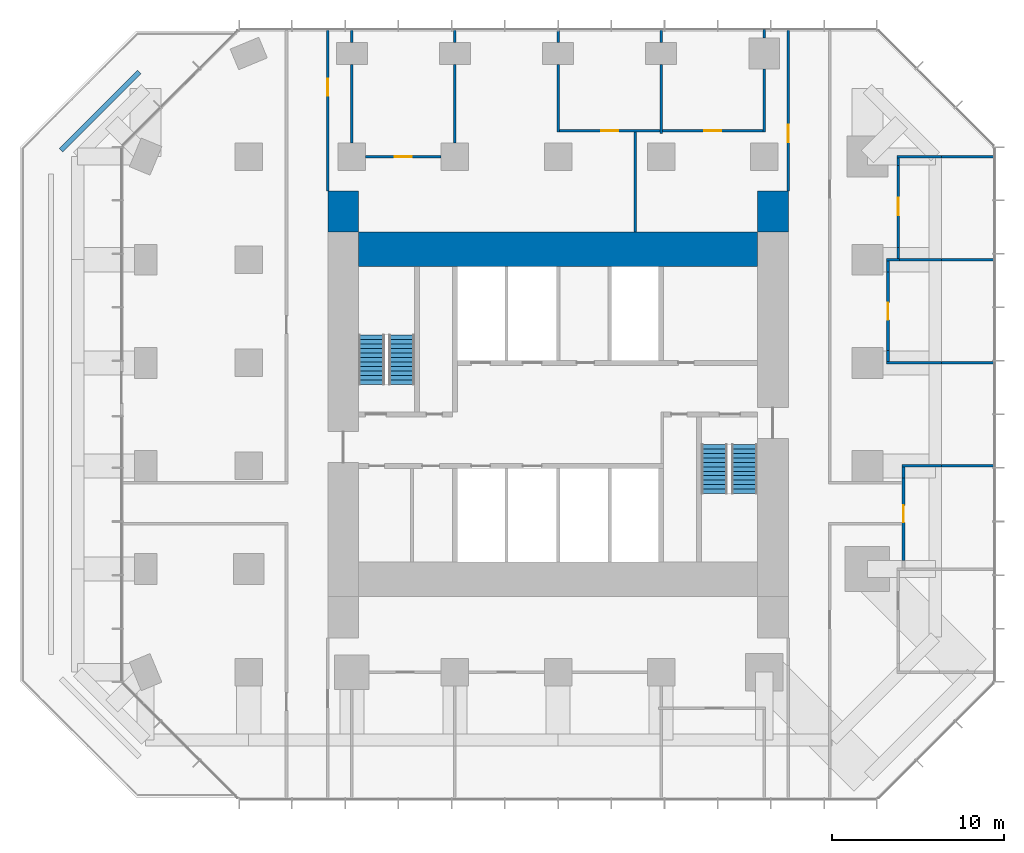
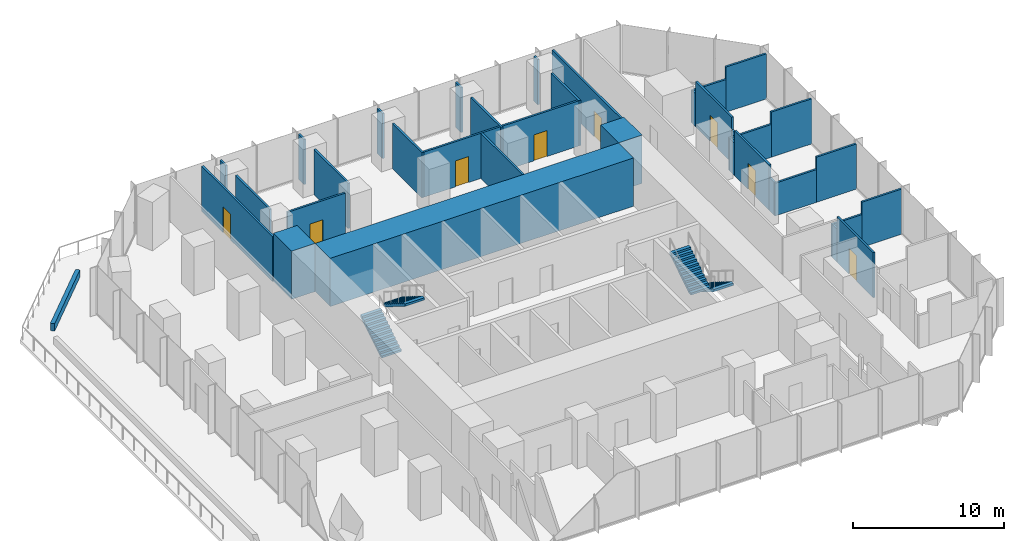
# One storey, part 10 of 11: 37 walls, 8 doors, 4 stair flights, 8 openings, 2 elements without a shape of their own.
"""IFC4 building model written with IfcOpenShell, lengths in metres."""

from ifc_helpers import new_model, si_unit, direction, frame, frame_2d, origin, place, context, subcontext, project, spatial, polyline, rectangle, outline, extrude, material, layer, layer_set, type_object, element, fill, aggregate, save


model = new_model("IFC4")

# Units and contexts
model_context = context("Model", 3, precision=1e-05, world=origin(), true_north=direction((0.0, 1.0)))
body_context = subcontext(model_context, "Body", "Model", "MODEL_VIEW")
ifc_project = project(units=[si_unit("LENGTHUNIT", "METRE"), si_unit("AREAUNIT", "SQUARE_METRE"), si_unit("VOLUMEUNIT", "CUBIC_METRE"), si_unit("PLANEANGLEUNIT", "RADIAN"), si_unit("MASSUNIT", "GRAM", prefix="KILO")], contexts=[model_context])

# Site, building, storey
site_placement = place(None, origin())
site = spatial("IfcSite", under=ifc_project, at=site_placement, CompositionType="ELEMENT")
building_placement = place(site_placement, origin())
building = spatial("IfcBuilding", under=site, at=building_placement, Name="Highveld Stack Headquarters", CompositionType="ELEMENT")
storey_placement = place(building_placement, frame((0.0, 0.0, 140.60009765625)))
storey = spatial("IfcBuildingStorey", under=building, at=storey_placement, Name="L34", CompositionType="ELEMENT", Elevation=140.60009765625)

# Walls
ifc_material_1 = material(Name="Concrete C60/75", Category="concrete")
ifc_layer_1 = layer(ifc_material_1, 2.0)
ifc_layer_set_1 = layer_set([ifc_layer_1], Name="Concrete C60/75")
wall_type_1 = type_object("IfcWallType", Name="CORE WALL 2000 C60/75", PredefinedType="SHEAR", material=ifc_layer_set_1)
wall_1_placement = place(storey_placement, frame((-5.60009765625, 12.60009765625, 0.0), z_axis=(0.0, 0.0, 1.0), x_axis=(1.0, 0.0, 0.0)))
element("IfcWall", 1, at=wall_1_placement, inside=storey, type_object=wall_type_1, Name="Core wall N L34", PredefinedType="SHEAR", context=body_context, shape_type="SweptSolid", body=[
    extrude(rectangle(XDim=23.2001953125, YDim=2.0, at=frame_2d((11.60009765625, 0.0))), origin(), (0.0, 0.0, 1.0), 3.89990234375),
])
ifc_material_2 = material(Name="Concrete C60/75", Category="concrete")
ifc_layer_2 = layer(ifc_material_2, 1.800048828125)
ifc_layer_set_2 = layer_set([ifc_layer_2], Name="Concrete C60/75")
wall_type_2 = type_object("IfcWallType", Name="CORE WING WALL 1800 C60/75", PredefinedType="SHEAR", material=ifc_layer_set_2)
for number, where, z_axis, x_axis, name in (
    (2, (-6.5, 13.60009765625, 0.0), (0.0, 0.0, 1.0), (0.0, 1.0, 0.0), "Core wing wall WN L34"),
    (3, (18.5, 13.60009765625, 0.0), (0.0, 0.0, 1.0), (0.0, 1.0, 0.0), "Core wing wall EN L34"),
):
    element("IfcWall", number, at=place(storey_placement, frame(where, z_axis=z_axis, x_axis=x_axis)), inside=storey, type_object=wall_type_2, Name=name, PredefinedType="SHEAR", context=body_context, shape_type="SweptSolid", body=[
        extrude(rectangle(XDim=2.39990234375, YDim=1.800048828125, at=frame_2d((1.199951171875, 0.0))), origin(), (0.0, 0.0, 1.0), 3.89990234375),
    ])
ifc_material_3 = material(Name="Gypsum plasterboard on steel studs", Category="steel")
ifc_layer_3 = layer(ifc_material_3, 0.14990234375)
ifc_layer_set_3 = layer_set([ifc_layer_3], Name="Gypsum plasterboard on steel studs")
wall_type_3 = type_object("IfcWallType", Name="PARTITION 150 PLASTERBOARD", PredefinedType="PARTITIONING", material=ifc_layer_set_3)
wall_2_placement = place(storey_placement, frame((26.02490234375, 0.0, 0.0), z_axis=(0.0, 0.0, 1.0), x_axis=(1.0, 0.0, 0.0)))
element("IfcWall", 4, at=wall_2_placement, inside=storey, type_object=wall_type_3, Name="Partition Focus room L34", PredefinedType="PARTITIONING", context=body_context, shape_type="SweptSolid", body=[
    extrude(rectangle(XDim=2.28515625, YDim=0.14990234375, at=frame_2d((1.142578125, 0.0))), origin(), (0.0, 0.0, 1.0), 2.64990234375),
])
wall_3_placement = place(storey_placement, frame((28.31005859375, 0.0, 0.0), z_axis=(0.0, 0.0, 1.0), x_axis=(1.0, 0.0, 0.0)))
element("IfcWall", 5, at=wall_3_placement, inside=storey, type_object=wall_type_3, Name="Partition Focus room L34", PredefinedType="PARTITIONING", context=body_context, shape_type="SweptSolid", body=[
    extrude(rectangle(XDim=3.0400390625, YDim=0.14990234375, at=frame_2d((1.52001953125, 0.0))), origin(), (0.0, 0.0, 1.0), 3.64990234375),
])
wall_4_placement = place(storey_placement, frame((25.125, 6.0, 0.0), z_axis=(0.0, 0.0, 1.0), x_axis=(1.0, 0.0, 0.0)))
element("IfcWall", 6, at=wall_4_placement, inside=storey, type_object=wall_type_3, Name="Partition Tea kitchen L34", PredefinedType="PARTITIONING", context=body_context, shape_type="SweptSolid", body=[
    extrude(rectangle(XDim=3.18505859375, YDim=0.14990234375, at=frame_2d((1.592529296875, 0.0))), origin(), (0.0, 0.0, 1.0), 2.64990234375),
])
wall_5_placement = place(storey_placement, frame((28.31005859375, 6.0, 0.0), z_axis=(0.0, 0.0, 1.0), x_axis=(1.0, 0.0, 0.0)))
element("IfcWall", 7, at=wall_5_placement, inside=storey, type_object=wall_type_3, Name="Partition Tea kitchen L34", PredefinedType="PARTITIONING", context=body_context, shape_type="SweptSolid", body=[
    extrude(rectangle(XDim=3.0400390625, YDim=0.14990234375, at=frame_2d((1.52001953125, 0.0))), origin(), (0.0, 0.0, 1.0), 3.64990234375),
])
wall_6_placement = place(storey_placement, frame((25.125, 12.0, 0.0), z_axis=(0.0, 0.0, 1.0), x_axis=(1.0, 0.0, 0.0)))
element("IfcWall", 8, at=wall_6_placement, inside=storey, type_object=wall_type_3, Name="Partition Tea kitchen L34", PredefinedType="PARTITIONING", context=body_context, shape_type="SweptSolid", body=[
    extrude(rectangle(XDim=0.75, YDim=0.14990234375, at=frame_2d((0.375, 0.0))), origin(), (0.0, 0.0, 1.0), 2.64990234375),
])
wall_7_placement = place(storey_placement, frame((25.800048828125, 12.0, 0.0), z_axis=(0.0, 0.0, 1.0), x_axis=(1.0, 0.0, 0.0)))
element("IfcWall", 9, at=wall_7_placement, inside=storey, type_object=wall_type_3, Name="Partition Print room / Tea kitchen L34", PredefinedType="PARTITIONING", context=body_context, shape_type="SweptSolid", body=[
    extrude(rectangle(XDim=2.510009765625, YDim=0.14990234375, at=frame_2d((1.2548828125, 0.0))), origin(), (0.0, 0.0, 1.0), 2.64990234375),
])
wall_8_placement = place(storey_placement, frame((28.31005859375, 12.0, 0.0), z_axis=(0.0, 0.0, 1.0), x_axis=(1.0, 0.0, 0.0)))
element("IfcWall", 10, at=wall_8_placement, inside=storey, type_object=wall_type_3, Name="Partition Print room / Tea kitchen L34", PredefinedType="PARTITIONING", context=body_context, shape_type="SweptSolid", body=[
    extrude(rectangle(XDim=3.08984375, YDim=0.14990234375, at=frame_2d((1.544921875, 0.0))), origin(), (0.0, 0.0, 1.0), 3.64990234375),
])

# Wall, opening, door
wall_9_placement = place(storey_placement, frame((-5.199951171875, 18.0, 0.0), z_axis=(0.0, 0.0, 1.0), x_axis=(1.0, 0.0, 0.0)))
wall_9 = element("IfcWall", 11, at=wall_9_placement, inside=storey, type_object=wall_type_3, Name="Partition Office L34", PredefinedType="PARTITIONING", context=body_context, shape_type="SweptSolid", body=[
    extrude(rectangle(XDim=4.39990234375, YDim=0.14990234375, at=frame_2d((2.199951171875, 0.0))), origin(), (0.0, 0.0, 1.0), 3.64990234375),
])
opening_1_placement = place(wall_9_placement, frame((1.699951171875, 0.0, 0.0)))
opening_1 = element("IfcOpeningElement", 12, at=opening_1_placement, cuts=wall_9, Name="Opening L34-19", PredefinedType="OPENING", context=body_context, shape_type="SweptSolid", body=[
    extrude(rectangle(XDim=1.0, YDim=2.10009765625, at=frame_2d((0.5, 1.050048828125))), frame((0.0, 0.0849609375, 0.0), z_axis=(0.0, -1.0, 0.0), x_axis=(1.0, 0.0, 0.0)), (0.0, 0.0, 1.0), 0.169921875),
])
ifc_material_4 = material(Name="Timber door, oiled ash", Category="wood")
door_type = type_object("IfcDoorType", Name="ROOM DOOR D6 1000x2100", OperationType="SINGLE_SWING_LEFT", PredefinedType="DOOR", material=ifc_material_4)
door_1_placement = place(opening_1_placement, origin())
door_1 = element("IfcDoor", 13, at=door_1_placement, inside=storey, type_object=door_type, Name="Office door 1 L34", OperationType="SINGLE_SWING_RIGHT", OverallHeight=2.10009765625, OverallWidth=1.0, PredefinedType="DOOR", context=body_context, shape_type="SweptSolid", body=[
    extrude(rectangle(XDim=1.0, YDim=2.10009765625, at=frame_2d((0.5, 1.050048828125))), frame((0.0, 0.02490234375, 0.0), z_axis=(0.0, -1.0, 0.0), x_axis=(1.0, 0.0, 0.0)), (0.0, 0.0, 1.0), 0.050048828125),
])
fill(opening_1, door_1)

# Walls
wall_10_placement = place(storey_placement, frame((25.72509765625, 18.0, 0.0), z_axis=(0.0, 0.0, 1.0), x_axis=(1.0, 0.0, 0.0)))
element("IfcWall", 14, at=wall_10_placement, inside=storey, type_object=wall_type_3, Name="Partition Print room L34", PredefinedType="PARTITIONING", context=body_context, shape_type="SweptSolid", body=[
    extrude(rectangle(XDim=2.5849609375, YDim=0.14990234375, at=frame_2d((1.29248046875, 0.0))), origin(), (0.0, 0.0, 1.0), 2.64990234375),
])
wall_11_placement = place(storey_placement, frame((28.31005859375, 18.0, 0.0), z_axis=(0.0, 0.0, 1.0), x_axis=(1.0, 0.0, 0.0)))
element("IfcWall", 15, at=wall_11_placement, inside=storey, type_object=wall_type_3, Name="Partition Print room L34", PredefinedType="PARTITIONING", context=body_context, shape_type="SweptSolid", body=[
    extrude(rectangle(XDim=3.08984375, YDim=0.14990234375, at=frame_2d((1.544921875, 0.0))), origin(), (0.0, 0.0, 1.0), 3.64990234375),
])

# Wall, opening, door
wall_12_placement = place(storey_placement, frame((6.074951171875, 19.5, 0.0), z_axis=(0.0, 0.0, 1.0), x_axis=(1.0, 0.0, 0.0)))
wall_12 = element("IfcWall", 16, at=wall_12_placement, inside=storey, type_object=wall_type_3, Name="Partition Quiet room L34", PredefinedType="PARTITIONING", context=body_context, shape_type="SweptSolid", body=[
    extrude(rectangle(XDim=5.85009765625, YDim=0.14990234375, at=frame_2d((2.925048828125, 0.0))), origin(), (0.0, 0.0, 1.0), 3.64990234375),
])
opening_2_placement = place(wall_12_placement, frame((2.425048828125, 0.0, 0.0)))
opening_2 = element("IfcOpeningElement", 17, at=opening_2_placement, cuts=wall_12, Name="Opening L34-20", PredefinedType="OPENING", context=body_context, shape_type="SweptSolid", body=[
    extrude(rectangle(XDim=1.0, YDim=2.10009765625, at=frame_2d((0.5, 1.050048828125))), frame((0.0, 0.0849609375, 0.0), z_axis=(0.0, -1.0, 0.0), x_axis=(1.0, 0.0, 0.0)), (0.0, 0.0, 1.0), 0.169921875),
])
door_2_placement = place(opening_2_placement, origin())
door_2 = element("IfcDoor", 18, at=door_2_placement, inside=storey, type_object=door_type, Name="Quiet room door 1 L34", OperationType="SINGLE_SWING_LEFT", OverallHeight=2.10009765625, OverallWidth=1.0, PredefinedType="DOOR", context=body_context, shape_type="SweptSolid", body=[
    extrude(rectangle(XDim=1.0, YDim=2.10009765625, at=frame_2d((0.5, 1.050048828125))), frame((0.0, 0.02490234375, 0.0), z_axis=(0.0, -1.0, 0.0), x_axis=(1.0, 0.0, 0.0)), (0.0, 0.0, 1.0), 0.050048828125),
])
fill(opening_2, door_2)

wall_13_placement = place(storey_placement, frame((12.074951171875, 19.5, 0.0), z_axis=(0.0, 0.0, 1.0), x_axis=(1.0, 0.0, 0.0)))
wall_13 = element("IfcWall", 19, at=wall_13_placement, inside=storey, type_object=wall_type_3, Name="Partition Quiet room L34", PredefinedType="PARTITIONING", context=body_context, shape_type="SweptSolid", body=[
    extrude(rectangle(XDim=5.85009765625, YDim=0.14990234375, at=frame_2d((2.925048828125, 0.0))), origin(), (0.0, 0.0, 1.0), 3.64990234375),
])
opening_3_placement = place(wall_13_placement, frame((2.425048828125, 0.0, 0.0)))
opening_3 = element("IfcOpeningElement", 20, at=opening_3_placement, cuts=wall_13, Name="Opening L34-21", PredefinedType="OPENING", context=body_context, shape_type="SweptSolid", body=[
    extrude(rectangle(XDim=1.0, YDim=2.10009765625, at=frame_2d((0.5, 1.050048828125))), frame((0.0, 0.0849609375, 0.0), z_axis=(0.0, -1.0, 0.0), x_axis=(1.0, 0.0, 0.0)), (0.0, 0.0, 1.0), 0.169921875),
])
door_3_placement = place(opening_3_placement, origin())
door_3 = element("IfcDoor", 21, at=door_3_placement, inside=storey, type_object=door_type, Name="Quiet room door 1 L34", OperationType="SINGLE_SWING_LEFT", OverallHeight=2.10009765625, OverallWidth=1.0, PredefinedType="DOOR", context=body_context, shape_type="SweptSolid", body=[
    extrude(rectangle(XDim=1.0, YDim=2.10009765625, at=frame_2d((0.5, 1.050048828125))), frame((0.0, 0.02490234375, 0.0), z_axis=(0.0, -1.0, 0.0), x_axis=(1.0, 0.0, 0.0)), (0.0, 0.0, 1.0), 0.050048828125),
])
fill(opening_3, door_3)

# Walls
wall_14_placement = place(storey_placement, frame((-6.0, 18.800048828125, 0.0), z_axis=(0.0, 0.0, 1.0), x_axis=(0.0, 1.0, 0.0)))
element("IfcWall", 22, at=wall_14_placement, inside=storey, type_object=wall_type_3, Name="Partition Office L34", PredefinedType="PARTITIONING", context=body_context, shape_type="SweptSolid", body=[
    extrude(rectangle(XDim=4.550048828125, YDim=0.14990234375, at=frame_2d((2.27490234375, 0.0))), origin(), (0.0, 0.0, 1.0), 3.64990234375),
])
wall_15_placement = place(storey_placement, frame((-6.0, 24.64990234375, 0.0), z_axis=(0.0, 0.0, 1.0), x_axis=(0.0, 1.0, 0.0)))
element("IfcWall", 23, at=wall_15_placement, inside=storey, type_object=wall_type_3, Name="Partition Office L34", PredefinedType="PARTITIONING", context=body_context, shape_type="SweptSolid", body=[
    extrude(rectangle(XDim=0.75, YDim=0.14990234375, at=frame_2d((0.375, 0.0))), origin(), (0.0, 0.0, 1.0), 3.64990234375),
])
wall_16_placement = place(storey_placement, frame((0.0, 18.800048828125, 0.0), z_axis=(0.0, 0.0, 1.0), x_axis=(0.0, 1.0, 0.0)))
element("IfcWall", 24, at=wall_16_placement, inside=storey, type_object=wall_type_3, Name="Partition Office L34", PredefinedType="PARTITIONING", context=body_context, shape_type="SweptSolid", body=[
    extrude(rectangle(XDim=4.550048828125, YDim=0.14990234375, at=frame_2d((2.27490234375, 0.0))), origin(), (0.0, 0.0, 1.0), 3.64990234375),
])
wall_17_placement = place(storey_placement, frame((0.0, 24.64990234375, 0.0), z_axis=(0.0, 0.0, 1.0), x_axis=(0.0, 1.0, 0.0)))
element("IfcWall", 25, at=wall_17_placement, inside=storey, type_object=wall_type_3, Name="Partition Office L34", PredefinedType="PARTITIONING", context=body_context, shape_type="SweptSolid", body=[
    extrude(rectangle(XDim=0.75, YDim=0.14990234375, at=frame_2d((0.375, 0.0))), origin(), (0.0, 0.0, 1.0), 3.64990234375),
])
wall_18_placement = place(storey_placement, frame((6.0, 19.425048828125, 0.0), z_axis=(0.0, 0.0, 1.0), x_axis=(0.0, 1.0, 0.0)))
element("IfcWall", 26, at=wall_18_placement, inside=storey, type_object=wall_type_3, Name="Partition Quiet room L34", PredefinedType="PARTITIONING", context=body_context, shape_type="SweptSolid", body=[
    extrude(rectangle(XDim=3.925048828125, YDim=0.14990234375, at=frame_2d((1.96240234375, 0.0))), origin(), (0.0, 0.0, 1.0), 3.64990234375),
])
wall_19_placement = place(storey_placement, frame((6.0, 24.64990234375, 0.0), z_axis=(0.0, 0.0, 1.0), x_axis=(0.0, 1.0, 0.0)))
element("IfcWall", 27, at=wall_19_placement, inside=storey, type_object=wall_type_3, Name="Partition Quiet room L34", PredefinedType="PARTITIONING", context=body_context, shape_type="SweptSolid", body=[
    extrude(rectangle(XDim=0.7001953125, YDim=0.14990234375, at=frame_2d((0.35009765625, 0.0))), origin(), (0.0, 0.0, 1.0), 3.64990234375),
])
wall_20_placement = place(storey_placement, frame((12.0, 19.35009765625, 0.0), z_axis=(0.0, 0.0, 1.0), x_axis=(0.0, 1.0, 0.0)))
element("IfcWall", 28, at=wall_20_placement, inside=storey, type_object=wall_type_3, Name="Partition Quiet room L34", PredefinedType="PARTITIONING", context=body_context, shape_type="SweptSolid", body=[
    extrude(rectangle(XDim=4.0, YDim=0.14990234375, at=frame_2d((2.0, 0.0))), origin(), (0.0, 0.0, 1.0), 3.64990234375),
])
wall_21_placement = place(storey_placement, frame((12.0, 24.64990234375, 0.0), z_axis=(0.0, 0.0, 1.0), x_axis=(0.0, 1.0, 0.0)))
element("IfcWall", 29, at=wall_21_placement, inside=storey, type_object=wall_type_3, Name="Partition Quiet room L34", PredefinedType="PARTITIONING", context=body_context, shape_type="SweptSolid", body=[
    extrude(rectangle(XDim=0.75, YDim=0.14990234375, at=frame_2d((0.375, 0.0))), origin(), (0.0, 0.0, 1.0), 3.64990234375),
])
wall_22_placement = place(storey_placement, frame((18.0, 19.425048828125, 0.0), z_axis=(0.0, 0.0, 1.0), x_axis=(0.0, 1.0, 0.0)))
element("IfcWall", 30, at=wall_22_placement, inside=storey, type_object=wall_type_3, Name="Partition Quiet room L34", PredefinedType="PARTITIONING", context=body_context, shape_type="SweptSolid", body=[
    extrude(rectangle(XDim=3.675048828125, YDim=0.14990234375, at=frame_2d((1.83740234375, 0.0))), origin(), (0.0, 0.0, 1.0), 3.64990234375),
])
wall_23_placement = place(storey_placement, frame((18.0, 24.89990234375, 0.0), z_axis=(0.0, 0.0, 1.0), x_axis=(0.0, 1.0, 0.0)))
element("IfcWall", 31, at=wall_23_placement, inside=storey, type_object=wall_type_3, Name="Partition Quiet room L34", PredefinedType="PARTITIONING", context=body_context, shape_type="SweptSolid", body=[
    extrude(rectangle(XDim=0.5, YDim=0.14990234375, at=frame_2d((0.25, 0.0))), origin(), (0.0, 0.0, 1.0), 3.64990234375),
])
wall_24_placement = place(storey_placement, frame((25.199951171875, 6.074951171875, 0.0), z_axis=(0.0, 0.0, 1.0), x_axis=(0.0, 1.0, 0.0)))
element("IfcWall", 32, at=wall_24_placement, inside=storey, type_object=wall_type_3, Name="Partition Tea kitchen L34", PredefinedType="PARTITIONING", context=body_context, shape_type="SweptSolid", body=[
    extrude(rectangle(XDim=0.635009765625, YDim=0.14990234375, at=frame_2d((0.3173828125, 0.0))), origin(), (0.0, 0.0, 1.0), 2.64990234375),
])

# Wall, opening, door
wall_25_placement = place(storey_placement, frame((25.199951171875, 6.7099609375, 0.0), z_axis=(0.0, 0.0, 1.0), x_axis=(0.0, 1.0, 0.0)))
wall_25 = element("IfcWall", 33, at=wall_25_placement, inside=storey, type_object=wall_type_3, Name="Partition Tea kitchen L34", PredefinedType="PARTITIONING", context=body_context, shape_type="SweptSolid", body=[
    extrude(rectangle(XDim=4.580078125, YDim=0.14990234375, at=frame_2d((2.2900390625, 0.0))), origin(), (0.0, 0.0, 1.0), 3.64990234375),
])
opening_4_placement = place(wall_25_placement, frame((1.7900390625, 0.0, 0.0)))
opening_4 = element("IfcOpeningElement", 34, at=opening_4_placement, cuts=wall_25, Name="Opening L34-17", PredefinedType="OPENING", context=body_context, shape_type="SweptSolid", body=[
    extrude(rectangle(XDim=1.0, YDim=2.10009765625, at=frame_2d((0.5, 1.050048828125))), frame((0.0, 0.0849609375, 0.0), z_axis=(0.0, -1.0, 0.0), x_axis=(1.0, 0.0, 0.0)), (0.0, 0.0, 1.0), 0.169921875),
])
door_4_placement = place(opening_4_placement, origin())
door_4 = element("IfcDoor", 35, at=door_4_placement, inside=storey, type_object=door_type, Name="Tea kitchen door 1 L34", OperationType="SINGLE_SWING_LEFT", OverallHeight=2.10009765625, OverallWidth=1.0, PredefinedType="DOOR", context=body_context, shape_type="SweptSolid", body=[
    extrude(rectangle(XDim=1.0, YDim=2.10009765625, at=frame_2d((0.5, 1.050048828125))), frame((0.0, 0.02490234375, 0.0), z_axis=(0.0, -1.0, 0.0), x_axis=(1.0, 0.0, 0.0)), (0.0, 0.0, 1.0), 0.050048828125),
])
fill(opening_4, door_4)

# Walls
for number, where, z_axis, x_axis, name in (
    (36, (25.199951171875, 11.2900390625, 0.0), (0.0, 0.0, 1.0), (0.0, 1.0, 0.0), "Partition Tea kitchen L34"),
    (37, (25.800048828125, 12.074951171875, 0.0), (0.0, 0.0, 1.0), (0.0, 1.0, 0.0), "Partition Print room L34"),
):
    element("IfcWall", number, at=place(storey_placement, frame(where, z_axis=z_axis, x_axis=x_axis)), inside=storey, type_object=wall_type_3, Name=name, PredefinedType="PARTITIONING", context=body_context, shape_type="SweptSolid", body=[
        extrude(rectangle(XDim=0.635009765625, YDim=0.14990234375, at=frame_2d((0.3173828125, 0.0))), origin(), (0.0, 0.0, 1.0), 2.64990234375),
    ])

# Wall, opening, door
wall_26_placement = place(storey_placement, frame((25.800048828125, 12.7099609375, 0.0), z_axis=(0.0, 0.0, 1.0), x_axis=(0.0, 1.0, 0.0)))
wall_26 = element("IfcWall", 38, at=wall_26_placement, inside=storey, type_object=wall_type_3, Name="Partition Print room L34", PredefinedType="PARTITIONING", context=body_context, shape_type="SweptSolid", body=[
    extrude(rectangle(XDim=4.780029296875, YDim=0.14990234375, at=frame_2d((2.39013671875, 0.0))), origin(), (0.0, 0.0, 1.0), 3.64990234375),
])
opening_5_placement = place(wall_26_placement, frame((1.889892578125, 0.0, 0.0)))
opening_5 = element("IfcOpeningElement", 39, at=opening_5_placement, cuts=wall_26, Name="Opening L34-18", PredefinedType="OPENING", context=body_context, shape_type="SweptSolid", body=[
    extrude(rectangle(XDim=1.0, YDim=2.10009765625, at=frame_2d((0.5, 1.050048828125))), frame((0.0, 0.0849609375, 0.0), z_axis=(0.0, -1.0, 0.0), x_axis=(1.0, 0.0, 0.0)), (0.0, 0.0, 1.0), 0.169921875),
])
door_5_placement = place(opening_5_placement, origin())
door_5 = element("IfcDoor", 40, at=door_5_placement, inside=storey, type_object=door_type, Name="Print room door 1 L34", OperationType="SINGLE_SWING_LEFT", OverallHeight=2.10009765625, OverallWidth=1.0, PredefinedType="DOOR", context=body_context, shape_type="SweptSolid", body=[
    extrude(rectangle(XDim=1.0, YDim=2.10009765625, at=frame_2d((0.5, 1.050048828125))), frame((0.0, 0.02490234375, 0.0), z_axis=(0.0, -1.0, 0.0), x_axis=(1.0, 0.0, 0.0)), (0.0, 0.0, 1.0), 0.050048828125),
])
fill(opening_5, door_5)

# Wall
wall_27_placement = place(storey_placement, frame((25.800048828125, 17.489990234375, 0.0), z_axis=(0.0, 0.0, 1.0), x_axis=(0.0, 1.0, 0.0)))
element("IfcWall", 41, at=wall_27_placement, inside=storey, type_object=wall_type_3, Name="Partition Print room L34", PredefinedType="PARTITIONING", context=body_context, shape_type="SweptSolid", body=[
    extrude(rectangle(XDim=0.43505859375, YDim=0.14990234375, at=frame_2d((0.217529296875, 0.0))), origin(), (0.0, 0.0, 1.0), 2.64990234375),
])

# Wall, opening, door
wall_28_placement = place(storey_placement, frame((26.10009765625, -5.489990234375, 0.0), z_axis=(0.0, 0.0, 1.0), x_axis=(0.0, 1.0, 0.0)))
wall_28 = element("IfcWall", 42, at=wall_28_placement, inside=storey, type_object=wall_type_3, Name="Partition Focus room L34", PredefinedType="PARTITIONING", context=body_context, shape_type="SweptSolid", body=[
    extrude(rectangle(XDim=4.780029296875, YDim=0.14990234375, at=frame_2d((2.39013671875, 0.0))), origin(), (0.0, 0.0, 1.0), 3.64990234375),
])
opening_6_placement = place(wall_28_placement, frame((2.199951171875, 0.0, 0.0)))
opening_6 = element("IfcOpeningElement", 43, at=opening_6_placement, cuts=wall_28, Name="Opening L34-16", PredefinedType="OPENING", context=body_context, shape_type="SweptSolid", body=[
    extrude(rectangle(XDim=1.0, YDim=2.10009765625, at=frame_2d((0.5, 1.050048828125))), frame((0.0, 0.0849609375, 0.0), z_axis=(0.0, -1.0, 0.0), x_axis=(1.0, 0.0, 0.0)), (0.0, 0.0, 1.0), 0.169921875),
])
door_6_placement = place(opening_6_placement, origin())
door_6 = element("IfcDoor", 44, at=door_6_placement, inside=storey, type_object=door_type, Name="Focus room door 1 L34", OperationType="SINGLE_SWING_RIGHT", OverallHeight=2.10009765625, OverallWidth=1.0, PredefinedType="DOOR", context=body_context, shape_type="SweptSolid", body=[
    extrude(rectangle(XDim=1.0, YDim=2.10009765625, at=frame_2d((0.5, 1.050048828125))), frame((0.0, 0.02490234375, 0.0), z_axis=(0.0, -1.0, 0.0), x_axis=(1.0, 0.0, 0.0)), (0.0, 0.0, 1.0), 0.050048828125),
])
fill(opening_6, door_6)

# Wall
wall_29_placement = place(storey_placement, frame((26.10009765625, -0.7099609375, 0.0), z_axis=(0.0, 0.0, 1.0), x_axis=(0.0, 1.0, 0.0)))
element("IfcWall", 45, at=wall_29_placement, inside=storey, type_object=wall_type_3, Name="Partition Focus room L34", PredefinedType="PARTITIONING", context=body_context, shape_type="SweptSolid", body=[
    extrude(rectangle(XDim=0.635009765625, YDim=0.14990234375, at=frame_2d((0.3173828125, 0.0))), origin(), (0.0, 0.0, 1.0), 2.64990234375),
])

# Wall, opening, door
wall_30_placement = place(storey_placement, frame((-7.39990234375, 16.0, 0.0), z_axis=(0.0, 0.0, 1.0), x_axis=(0.0, 1.0, 0.0)))
wall_30 = element("IfcWall", 46, at=wall_30_placement, inside=storey, type_object=wall_type_3, Name="Partition office neighbourhood L34", PredefinedType="PARTITIONING", context=body_context, shape_type="SweptSolid", body=[
    extrude(rectangle(XDim=9.39990234375, YDim=0.14990234375, at=frame_2d((4.699951171875, 0.0))), origin(), (0.0, 0.0, 1.0), 3.64990234375),
])
opening_7_placement = place(wall_30_placement, frame((5.544921875, 0.0, 0.0)))
opening_7 = element("IfcOpeningElement", 47, at=opening_7_placement, cuts=wall_30, Name="Opening L34-28", PredefinedType="OPENING", context=body_context, shape_type="SweptSolid", body=[
    extrude(rectangle(XDim=1.0, YDim=2.10009765625, at=frame_2d((0.5, 1.050048828125))), frame((0.0, 0.0849609375, 0.0), z_axis=(0.0, -1.0, 0.0), x_axis=(1.0, 0.0, 0.0)), (0.0, 0.0, 1.0), 0.169921875),
])
door_7_placement = place(opening_7_placement, origin())
door_7 = element("IfcDoor", 48, at=door_7_placement, inside=storey, type_object=door_type, Name="Office neighbourhood door L34", OperationType="SINGLE_SWING_RIGHT", OverallHeight=2.10009765625, OverallWidth=1.0, PredefinedType="DOOR", context=body_context, shape_type="SweptSolid", body=[
    extrude(rectangle(XDim=1.0, YDim=2.10009765625, at=frame_2d((0.5, 1.050048828125))), frame((0.0, 0.02490234375, 0.0), z_axis=(0.0, -1.0, 0.0), x_axis=(1.0, 0.0, 0.0)), (0.0, 0.0, 1.0), 0.050048828125),
])
fill(opening_7, door_7)

# Wall
wall_31_placement = place(storey_placement, frame((10.5, 13.60009765625, 0.0), z_axis=(0.0, 0.0, 1.0), x_axis=(0.0, 1.0, 0.0)))
element("IfcWall", 49, at=wall_31_placement, inside=storey, type_object=wall_type_3, Name="Partition office neighbourhood L34", PredefinedType="PARTITIONING", context=body_context, shape_type="SweptSolid", body=[
    extrude(rectangle(XDim=5.824951171875, YDim=0.14990234375, at=frame_2d((2.91259765625, 0.0))), origin(), (0.0, 0.0, 1.0), 3.64990234375),
])

# Wall, opening, door
wall_32_placement = place(storey_placement, frame((19.39990234375, 16.0, 0.0), z_axis=(0.0, 0.0, 1.0), x_axis=(0.0, 1.0, 0.0)))
wall_32 = element("IfcWall", 50, at=wall_32_placement, inside=storey, type_object=wall_type_3, Name="Partition office neighbourhood L34", PredefinedType="PARTITIONING", context=body_context, shape_type="SweptSolid", body=[
    extrude(rectangle(XDim=9.39990234375, YDim=0.14990234375, at=frame_2d((4.699951171875, 0.0))), origin(), (0.0, 0.0, 1.0), 3.64990234375),
])
opening_8_placement = place(wall_32_placement, frame((2.85009765625, 0.0, 0.0)))
opening_8 = element("IfcOpeningElement", 51, at=opening_8_placement, cuts=wall_32, Name="Opening L34-27", PredefinedType="OPENING", context=body_context, shape_type="SweptSolid", body=[
    extrude(rectangle(XDim=1.0, YDim=2.10009765625, at=frame_2d((0.5, 1.050048828125))), frame((0.0, 0.0849609375, 0.0), z_axis=(0.0, -1.0, 0.0), x_axis=(1.0, 0.0, 0.0)), (0.0, 0.0, 1.0), 0.169921875),
])
door_8_placement = place(opening_8_placement, origin())
door_8 = element("IfcDoor", 52, at=door_8_placement, inside=storey, type_object=door_type, Name="Office neighbourhood door L34", OperationType="SINGLE_SWING_LEFT", OverallHeight=2.10009765625, OverallWidth=1.0, PredefinedType="DOOR", context=body_context, shape_type="SweptSolid", body=[
    extrude(rectangle(XDim=1.0, YDim=2.10009765625, at=frame_2d((0.5, 1.050048828125))), frame((0.0, 0.02490234375, 0.0), z_axis=(0.0, -1.0, 0.0), x_axis=(1.0, 0.0, 0.0)), (0.0, 0.0, 1.0), 0.050048828125),
])
fill(opening_8, door_8)

# Wall
ifc_material_5 = material(Name="Concrete C40/50, precast planter", Category="concrete")
ifc_layer_4 = layer(ifc_material_5, 0.300048828125)
ifc_layer_set_4 = layer_set([ifc_layer_4], Name="Concrete C40/50, precast planter")
wall_type_4 = type_object("IfcWallType", Name="PLANTER WALL PL1 300", PredefinedType="USERDEFINED", material=ifc_layer_set_4)
wall_33_placement = place(storey_placement, frame((-22.922607421875, 18.370361328125, 0.0), z_axis=(0.0, 0.0, 1.0), x_axis=(0.707106781187, 0.707106781187, 0.0)))
element("IfcWall", 53, at=wall_33_placement, inside=storey, type_object=wall_type_4, Name="Planter L34 1.4", ObjectType="PLANTER", PredefinedType="USERDEFINED", context=body_context, shape_type="SweptSolid", body=[
    extrude(rectangle(XDim=6.437744140625, YDim=0.300048828125, at=frame_2d((3.21875, 0.0))), origin(), (0.0, 0.0, 1.0), 0.599853515625),
])

# Stair, stair flights
ifc_material_6 = material(Name="Concrete C40/50, precast", Category="concrete")
stair_type_1 = type_object("IfcStairType", Name="STAIR S1 HALF TURN 1500", PredefinedType="HALF_TURN_STAIR", material=ifc_material_6)
stair_1_placement = place(storey_placement, origin())
stair_1 = element("IfcStair", 54, at=stair_1_placement, inside=storey, type_object=stair_type_1, Name="Stair S1 L34", PredefinedType="HALF_TURN_STAIR")
ifc_material_7 = material(Name="Concrete C40/50, precast", Category="concrete")
stair_flight_type = type_object("IfcStairFlightType", Name="STAIR FLIGHT 1500 PRECAST", PredefinedType="STRAIGHT", material=ifc_material_7)
stair_flight_1_placement = place(storey_placement, frame((-4.85009765625, 4.75, 0.0), z_axis=(0.0, 0.0, 1.0), x_axis=(0.0, 1.0, 0.0)))
stair_flight_1 = element("IfcStairFlight", 55, at=stair_flight_1_placement, type_object=stair_flight_type, Name="S1 flight 1", NumberOfRisers=12, NumberOfTreads=11, PredefinedType="STRAIGHT", RiserHeight=0.1625, TreadLength=0.26, context=body_context, shape_type="SweptSolid", body=[
    extrude(outline(polyline([(0.0, 0.0), (0.0, 0.16259765625), (0.260009765625, 0.16259765625), (0.260009765625, 0.324951171875), (0.52001953125, 0.324951171875), (0.52001953125, 0.487548828125), (0.780029296875, 0.487548828125), (0.780029296875, 0.64990234375), (1.0400390625, 0.64990234375), (1.0400390625, 0.8125), (1.300048828125, 0.8125), (1.300048828125, 0.97509765625), (1.56005859375, 0.97509765625), (1.56005859375, 1.137451171875), (1.820068359375, 1.137451171875), (1.820068359375, 1.300048828125), (2.080078125, 1.300048828125), (2.080078125, 1.46240234375), (2.340087890625, 1.46240234375), (2.340087890625, 1.625), (2.60009765625, 1.625), (2.60009765625, 1.78759765625), (2.860107421875, 1.78759765625), (2.860107421875, 1.949951171875), (2.860107421875, 1.61083984375), (0.28271484375, 0.0), (0.0, 0.0)])), frame((0.0, 0.75, 0.0), z_axis=(0.0, -1.0, 0.0), x_axis=(1.0, 0.0, 0.0)), (0.0, 0.0, 1.0), 1.5),
])
stair_flight_2_placement = place(storey_placement, frame((-3.10009765625, 7.610107421875, 1.949951171875), z_axis=(0.0, 0.0, 1.0), x_axis=(0.0, -1.0, 0.0)))
stair_flight_2 = element("IfcStairFlight", 56, at=stair_flight_2_placement, type_object=stair_flight_type, Name="S1 flight 2", NumberOfRisers=12, NumberOfTreads=11, PredefinedType="STRAIGHT", RiserHeight=0.1625, TreadLength=0.26, context=body_context, shape_type="SweptSolid", body=[
    extrude(outline(polyline([(0.0, 0.0), (0.0, 0.16259765625), (0.260009765625, 0.16259765625), (0.260009765625, 0.324951171875), (0.52001953125, 0.324951171875), (0.52001953125, 0.487548828125), (0.780029296875, 0.487548828125), (0.780029296875, 0.64990234375), (1.0400390625, 0.64990234375), (1.0400390625, 0.8125), (1.300048828125, 0.8125), (1.300048828125, 0.97509765625), (1.56005859375, 0.97509765625), (1.56005859375, 1.137451171875), (1.820068359375, 1.137451171875), (1.820068359375, 1.300048828125), (2.080078125, 1.300048828125), (2.080078125, 1.46240234375), (2.340087890625, 1.46240234375), (2.340087890625, 1.625), (2.60009765625, 1.625), (2.60009765625, 1.78759765625), (2.860107421875, 1.78759765625), (2.860107421875, 1.949951171875), (2.860107421875, 1.61083984375), (0.28271484375, 0.0), (0.0, 0.0)])), frame((0.0, 0.75, 0.0), z_axis=(0.0, -1.0, 0.0), x_axis=(1.0, 0.0, 0.0)), (0.0, 0.0, 1.0), 1.5),
])
aggregate(stair_1, [stair_flight_1, stair_flight_2])

ifc_material_8 = material(Name="Concrete C40/50, precast", Category="concrete")
stair_type_2 = type_object("IfcStairType", Name="STAIR S2 HALF TURN 1500", PredefinedType="HALF_TURN_STAIR", material=ifc_material_8)
stair_2_placement = place(storey_placement, origin())
stair_2 = element("IfcStair", 57, at=stair_2_placement, inside=storey, type_object=stair_type_2, Name="Stair S2 L34", PredefinedType="HALF_TURN_STAIR")
stair_flight_3_placement = place(storey_placement, frame((16.85009765625, 1.25, 0.0), z_axis=(0.0, 0.0, 1.0), x_axis=(0.0, -1.0, 0.0)))
stair_flight_3 = element("IfcStairFlight", 58, at=stair_flight_3_placement, type_object=stair_flight_type, Name="S2 flight 1", NumberOfRisers=12, NumberOfTreads=11, PredefinedType="STRAIGHT", RiserHeight=0.1625, TreadLength=0.26, context=body_context, shape_type="SweptSolid", body=[
    extrude(outline(polyline([(0.0, 0.0), (0.0, 0.16259765625), (0.260009765625, 0.16259765625), (0.260009765625, 0.324951171875), (0.52001953125, 0.324951171875), (0.52001953125, 0.487548828125), (0.780029296875, 0.487548828125), (0.780029296875, 0.64990234375), (1.0400390625, 0.64990234375), (1.0400390625, 0.8125), (1.300048828125, 0.8125), (1.300048828125, 0.97509765625), (1.56005859375, 0.97509765625), (1.56005859375, 1.137451171875), (1.820068359375, 1.137451171875), (1.820068359375, 1.300048828125), (2.080078125, 1.300048828125), (2.080078125, 1.46240234375), (2.340087890625, 1.46240234375), (2.340087890625, 1.625), (2.60009765625, 1.625), (2.60009765625, 1.78759765625), (2.860107421875, 1.78759765625), (2.860107421875, 1.949951171875), (2.860107421875, 1.61083984375), (0.28271484375, 0.0), (0.0, 0.0)])), frame((0.0, 0.75, 0.0), z_axis=(0.0, -1.0, 0.0), x_axis=(1.0, 0.0, 0.0)), (0.0, 0.0, 1.0), 1.5),
])
stair_flight_4_placement = place(storey_placement, frame((15.10009765625, -1.610107421875, 1.949951171875), z_axis=(0.0, 0.0, 1.0), x_axis=(0.0, 1.0, 0.0)))
stair_flight_4 = element("IfcStairFlight", 59, at=stair_flight_4_placement, type_object=stair_flight_type, Name="S2 flight 2", NumberOfRisers=12, NumberOfTreads=11, PredefinedType="STRAIGHT", RiserHeight=0.1625, TreadLength=0.26, context=body_context, shape_type="SweptSolid", body=[
    extrude(outline(polyline([(0.0, 0.0), (0.0, 0.16259765625), (0.260009765625, 0.16259765625), (0.260009765625, 0.324951171875), (0.52001953125, 0.324951171875), (0.52001953125, 0.487548828125), (0.780029296875, 0.487548828125), (0.780029296875, 0.64990234375), (1.0400390625, 0.64990234375), (1.0400390625, 0.8125), (1.300048828125, 0.8125), (1.300048828125, 0.97509765625), (1.56005859375, 0.97509765625), (1.56005859375, 1.137451171875), (1.820068359375, 1.137451171875), (1.820068359375, 1.300048828125), (2.080078125, 1.300048828125), (2.080078125, 1.46240234375), (2.340087890625, 1.46240234375), (2.340087890625, 1.625), (2.60009765625, 1.625), (2.60009765625, 1.78759765625), (2.860107421875, 1.78759765625), (2.860107421875, 1.949951171875), (2.860107421875, 1.61083984375), (0.28271484375, 0.0), (0.0, 0.0)])), frame((0.0, 0.75, 0.0), z_axis=(0.0, -1.0, 0.0), x_axis=(1.0, 0.0, 0.0)), (0.0, 0.0, 1.0), 1.5),
])
aggregate(stair_2, [stair_flight_3, stair_flight_4])

save(model, "model.ifc")
